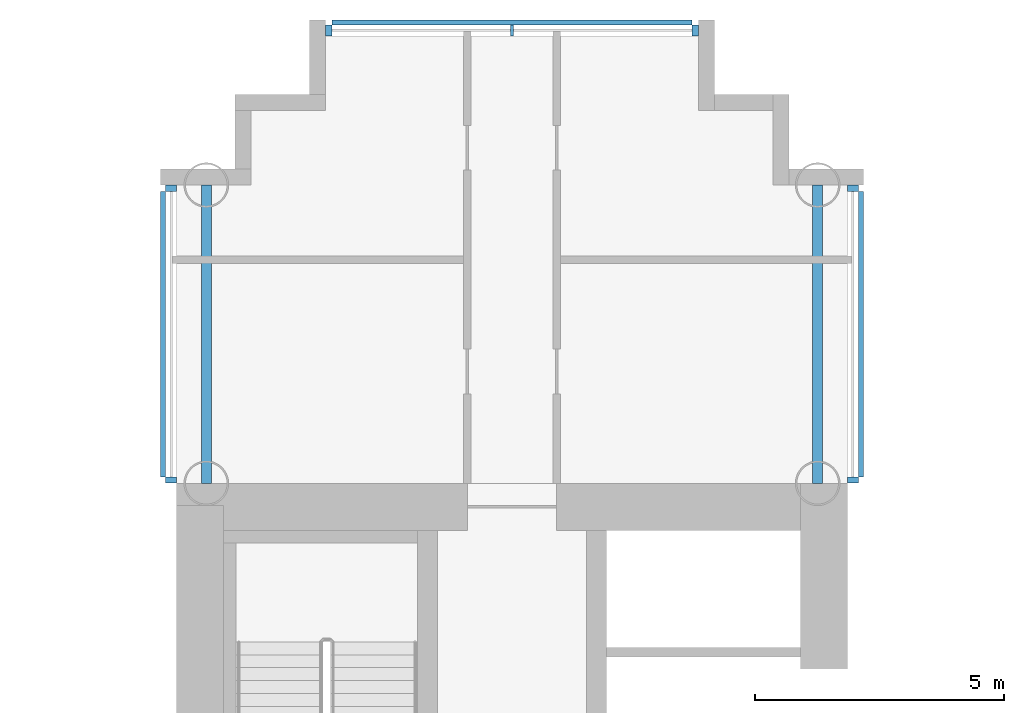
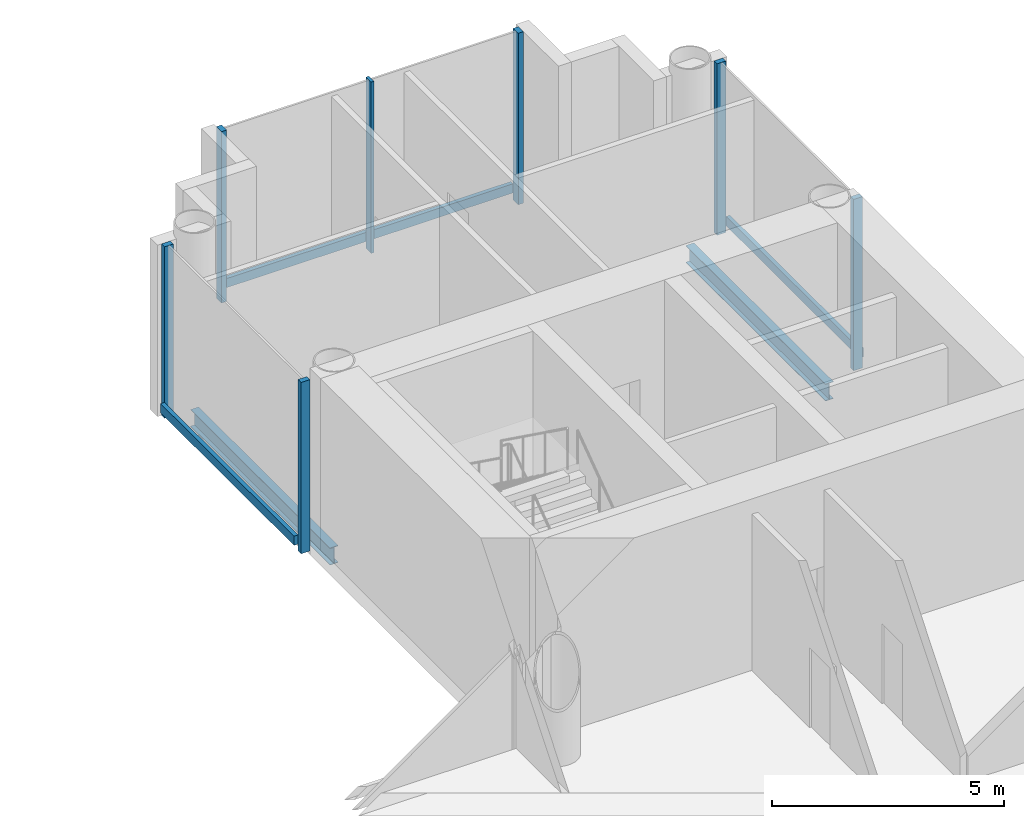
# One storey, part 7 of 20: 10 members, 2 beams, 3 elements without a shape of their own.
"""IFC4 building model written with IfcOpenShell, lengths in metres."""

from ifc_helpers import new_model, si_unit, direction, frame, origin, origin_2d, place, context, subcontext, project, spatial, rectangle, i_section, extrude, material, layer, layer_set, material_profile, profile_set, type_object, element, aggregate, save


model = new_model("IFC4")

# Units and contexts
model_context = context("Model", 3, precision=1e-05, world=origin(), true_north=direction((0.0, 1.0)))
body_context = subcontext(model_context, "Body", "Model", "MODEL_VIEW")
ifc_project = project(units=[si_unit("LENGTHUNIT", "METRE"), si_unit("AREAUNIT", "SQUARE_METRE"), si_unit("VOLUMEUNIT", "CUBIC_METRE"), si_unit("PLANEANGLEUNIT", "RADIAN"), si_unit("MASSUNIT", "GRAM", prefix="KILO")], contexts=[model_context])

# Site, building, storey
site_placement = place(None, origin())
site = spatial("IfcSite", under=ifc_project, at=site_placement, CompositionType="ELEMENT")
building_placement = place(site_placement, origin())
building = spatial("IfcBuilding", under=site, at=building_placement, Name="Ipe Terrace Towers", CompositionType="ELEMENT")
storey_placement = place(building_placement, frame((0.0, 0.0, 124.199951171875)))
storey = spatial("IfcBuildingStorey", under=building, at=storey_placement, Name="L34", CompositionType="ELEMENT", Elevation=124.199951171875)

# Beams
ifc_material_1 = material(Name="Steel S355", Category="steel")
ifc_material_profile_1 = material_profile(ifc_material_1, i_section(OverallWidth=0.199951171875, OverallDepth=0.449951171875, WebThickness=0.009033203125, FlangeThickness=0.013916015625, at=origin_2d()), Name="H-450x200x9x14")
ifc_profile_set_1 = profile_set([ifc_material_profile_1], Name="Steel S355")
beam_type = type_object("IfcBeamType", Name="H08 EDGE BEAM H-450x200x9x14", PredefinedType="BEAM", material=ifc_profile_set_1)
for number, where, z_axis, x_axis, name in (
    (1, (42.14990234375, 15.75, -0.625), (0.0, 1.0, 0.0), (-1.0, 0.0, 0.0), "Edge beam T2-EB-A01-A03"),
    (2, (29.85009765625, 15.75, -0.625), (0.0, 1.0, 0.0), (-1.0, 0.0, 0.0), "Edge beam T2-EB-A02-A04"),
):
    element("IfcBeam", number, at=place(storey_placement, frame(where, z_axis=z_axis, x_axis=x_axis)), inside=storey, type_object=beam_type, Name=name, PredefinedType="BEAM", context=body_context, shape_type="SweptSolid", body=[
        extrude(i_section(OverallWidth=0.199951171875, OverallDepth=0.449951171875, WebThickness=0.009033203125, FlangeThickness=0.013916015625, at=origin_2d()), origin(), (0.0, 0.0, 1.0), 6.0),
    ])

# Curtain wall, members
ifc_material_2 = material(Name="Aluminium alloy 6063-T6", Category="aluminium")
ifc_layer = layer(ifc_material_2, 0.320068359375)
ifc_layer_set = layer_set([ifc_layer], Name="PLANT LOUVRE CURTAIN WALL")
curtain_wall_type = type_object("IfcCurtainWallType", Name="PLANT LOUVRE CURTAIN WALL", PredefinedType="NOTDEFINED", material=ifc_layer_set)
curtain_wall_1_placement = place(storey_placement, origin())
curtain_wall_1 = element("IfcCurtainWall", 3, at=curtain_wall_1_placement, inside=storey, type_object=curtain_wall_type, Name="T2-CW-L34-16b curtain wall", PredefinedType="NOTDEFINED")
ifc_material_3 = material(Name="Aluminium alloy 6063-T6", Category="aluminium")
ifc_material_profile_2 = material_profile(ifc_material_3, rectangle(XDim=0.219970703125, YDim=0.1298828125, at=origin_2d()), Name="PLANT LOUVRE CORNER MULLION 220 x 130")
ifc_profile_set_2 = profile_set([ifc_material_profile_2], Name="Aluminium alloy 6063-T6")
member_type_1 = type_object("IfcMemberType", Name="PLANT LOUVRE CORNER MULLION 220 x 130", PredefinedType="MULLION", material=ifc_profile_set_2)
member_1_placement = place(storey_placement, frame((42.860107421875, 15.81591796875, -0.300048828125), z_axis=(0.0, 0.0, 1.0), x_axis=(1.0, 0.0, 0.0)))
member_1 = element("IfcMember", 4, at=member_1_placement, type_object=member_type_1, Name="T2-CW-L34-16b mullion 1", PredefinedType="MULLION", context=body_context, shape_type="SweptSolid", body=[
    extrude(rectangle(XDim=0.219970703125, YDim=0.1298828125, at=origin_2d()), origin(), (0.0, 0.0, 1.0), 4.5),
])
member_2_placement = place(storey_placement, frame((42.860107421875, 21.68505859375, -0.300048828125), z_axis=(0.0, 0.0, 1.0), x_axis=(1.0, 0.0, 0.0)))
member_2 = element("IfcMember", 5, at=member_2_placement, type_object=member_type_1, Name="T2-CW-L34-16b mullion 2", PredefinedType="MULLION", context=body_context, shape_type="SweptSolid", body=[
    extrude(rectangle(XDim=0.219970703125, YDim=0.1298828125, at=origin_2d()), origin(), (0.0, 0.0, 1.0), 4.5),
])

curtain_wall_2_placement = place(storey_placement, origin())
curtain_wall_2 = element("IfcCurtainWall", 6, at=curtain_wall_2_placement, inside=storey, type_object=curtain_wall_type, Name="T2-CW-L34-21a curtain wall", PredefinedType="NOTDEFINED")
member_3_placement = place(storey_placement, frame((39.68505859375, 24.860107421875, -0.300048828125), z_axis=(0.0, 0.0, 1.0), x_axis=(0.0, 1.0, 0.0)))
member_3 = element("IfcMember", 7, at=member_3_placement, type_object=member_type_1, Name="T2-CW-L34-21a mullion 1", PredefinedType="MULLION", context=body_context, shape_type="SweptSolid", body=[
    extrude(rectangle(XDim=0.219970703125, YDim=0.1298828125, at=origin_2d()), origin(), (0.0, 0.0, 1.0), 4.5),
])
member_4_placement = place(storey_placement, frame((32.31494140625, 24.860107421875, -0.300048828125), z_axis=(0.0, 0.0, 1.0), x_axis=(0.0, 1.0, 0.0)))
member_4 = element("IfcMember", 8, at=member_4_placement, type_object=member_type_1, Name="T2-CW-L34-21a mullion 3", PredefinedType="MULLION", context=body_context, shape_type="SweptSolid", body=[
    extrude(rectangle(XDim=0.219970703125, YDim=0.1298828125, at=origin_2d()), origin(), (0.0, 0.0, 1.0), 4.5),
])

curtain_wall_3_placement = place(storey_placement, origin())
curtain_wall_3 = element("IfcCurtainWall", 9, at=curtain_wall_3_placement, inside=storey, type_object=curtain_wall_type, Name="T2-CW-L34-26a curtain wall", PredefinedType="NOTDEFINED")
member_5_placement = place(storey_placement, frame((29.139892578125, 21.68505859375, -0.300048828125), z_axis=(0.0, 0.0, 1.0), x_axis=(-1.0, 0.0, 0.0)))
member_5 = element("IfcMember", 10, at=member_5_placement, type_object=member_type_1, Name="T2-CW-L34-26a mullion 1", PredefinedType="MULLION", context=body_context, shape_type="SweptSolid", body=[
    extrude(rectangle(XDim=0.219970703125, YDim=0.1298828125, at=origin_2d()), origin(), (0.0, 0.0, 1.0), 4.5),
])
member_6_placement = place(storey_placement, frame((29.139892578125, 15.81591796875, -0.300048828125), z_axis=(0.0, 0.0, 1.0), x_axis=(-1.0, 0.0, 0.0)))
member_6 = element("IfcMember", 11, at=member_6_placement, type_object=member_type_1, Name="T2-CW-L34-26a mullion 2", PredefinedType="MULLION", context=body_context, shape_type="SweptSolid", body=[
    extrude(rectangle(XDim=0.219970703125, YDim=0.1298828125, at=origin_2d()), origin(), (0.0, 0.0, 1.0), 4.5),
])

# Member
ifc_material_4 = material(Name="Aluminium alloy 6063-T6", Category="aluminium")
ifc_material_profile_3 = material_profile(ifc_material_4, rectangle(XDim=0.219970703125, YDim=0.070068359375, at=origin_2d()), Name="PLANT LOUVRE MULLION 220 x 70")
ifc_profile_set_3 = profile_set([ifc_material_profile_3], Name="Aluminium alloy 6063-T6")
member_type_2 = type_object("IfcMemberType", Name="PLANT LOUVRE MULLION 220 x 70", PredefinedType="MULLION", material=ifc_profile_set_3)
member_7_placement = place(storey_placement, frame((36.0, 24.860107421875, -0.300048828125), z_axis=(0.0, 0.0, 1.0), x_axis=(0.0, 1.0, 0.0)))
member_7 = element("IfcMember", 12, at=member_7_placement, type_object=member_type_2, Name="T2-CW-L34-21a mullion 2", PredefinedType="MULLION", context=body_context, shape_type="SweptSolid", body=[
    extrude(rectangle(XDim=0.219970703125, YDim=0.070068359375, at=origin_2d()), origin(), (0.0, 0.0, 1.0), 4.5),
])

ifc_material_5 = material(Name="Aluminium alloy 6063-T6", Category="aluminium")
ifc_material_profile_4 = material_profile(ifc_material_5, rectangle(XDim=0.10009765625, YDim=0.239990234375, at=origin_2d()), Name="PLANT LOUVRE TRANSOM 100 x 240")
ifc_profile_set_4 = profile_set([ifc_material_profile_4], Name="Aluminium alloy 6063-T6")
member_type_3 = type_object("IfcMemberType", Name="PLANT LOUVRE TRANSOM 100 x 240", PredefinedType="USERDEFINED", material=ifc_profile_set_4)
member_8_placement = place(storey_placement, frame((43.02001953125, 15.881103515625, 0.0), z_axis=(0.0, 1.0, 0.0), x_axis=(1.0, 0.0, 0.0)))
member_8 = element("IfcMember", 13, at=member_8_placement, type_object=member_type_3, Name="T2-CW-L34-16b transom", ObjectType="TRANSOM", PredefinedType="USERDEFINED", context=body_context, shape_type="SweptSolid", body=[
    extrude(rectangle(XDim=0.10009765625, YDim=0.239990234375, at=origin_2d()), origin(), (0.0, 0.0, 1.0), 5.739013671875),
])

aggregate(curtain_wall_1, [member_1, member_2, member_8])

member_9_placement = place(storey_placement, frame((39.6201171875, 25.02001953125, 0.0), z_axis=(-1.0, 0.0, 0.0), x_axis=(0.0, 1.0, 0.0)))
member_9 = element("IfcMember", 14, at=member_9_placement, type_object=member_type_3, Name="T2-CW-L34-21a transom", ObjectType="TRANSOM", PredefinedType="USERDEFINED", context=body_context, shape_type="SweptSolid", body=[
    extrude(rectangle(XDim=0.10009765625, YDim=0.239990234375, at=origin_2d()), origin(), (0.0, 0.0, 1.0), 7.240234375),
])

aggregate(curtain_wall_2, [member_3, member_7, member_4, member_9])

member_10_placement = place(storey_placement, frame((28.97998046875, 21.6201171875, 0.0), z_axis=(0.0, -1.0, 0.0), x_axis=(-1.0, 0.0, 0.0)))
member_10 = element("IfcMember", 15, at=member_10_placement, type_object=member_type_3, Name="T2-CW-L34-26a transom", ObjectType="TRANSOM", PredefinedType="USERDEFINED", context=body_context, shape_type="SweptSolid", body=[
    extrude(rectangle(XDim=0.10009765625, YDim=0.239990234375, at=origin_2d()), origin(), (0.0, 0.0, 1.0), 5.739013671875),
])

aggregate(curtain_wall_3, [member_5, member_6, member_10])

save(model, "model.ifc")
